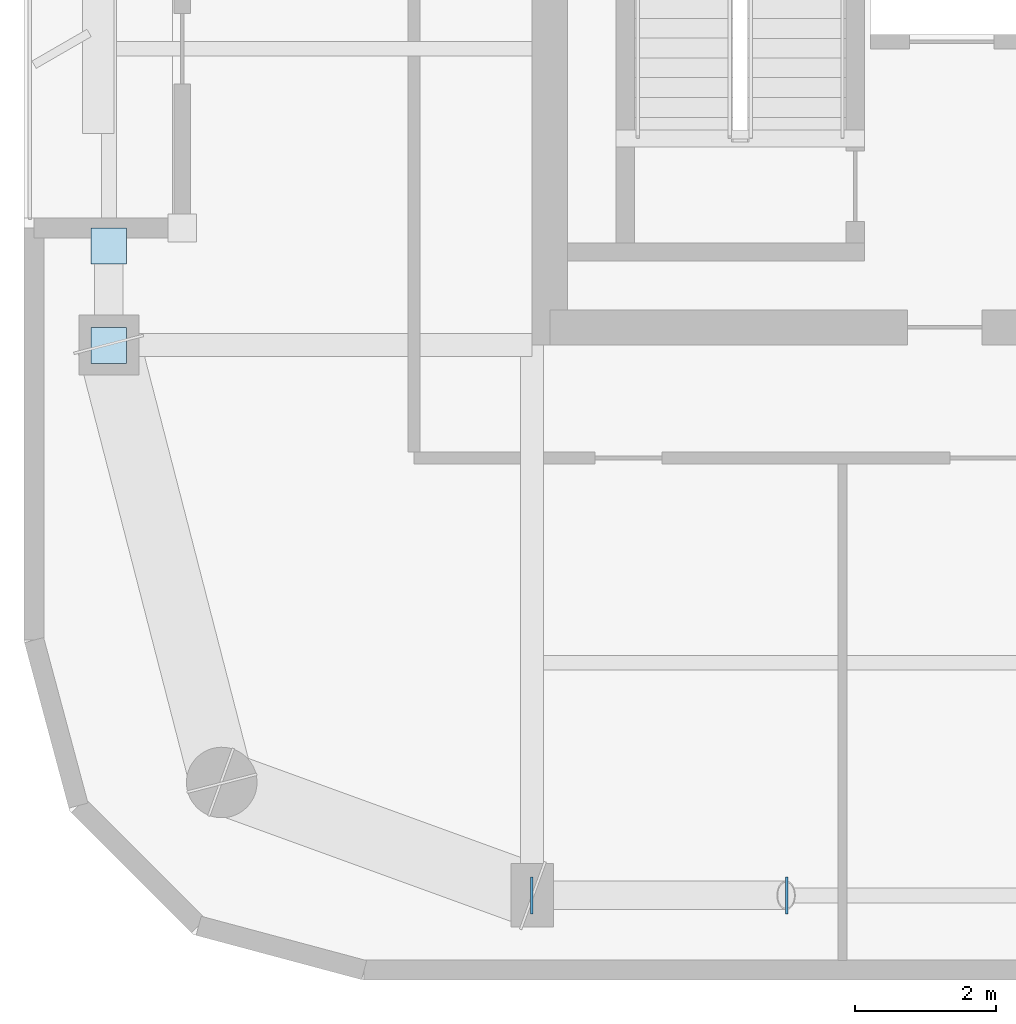
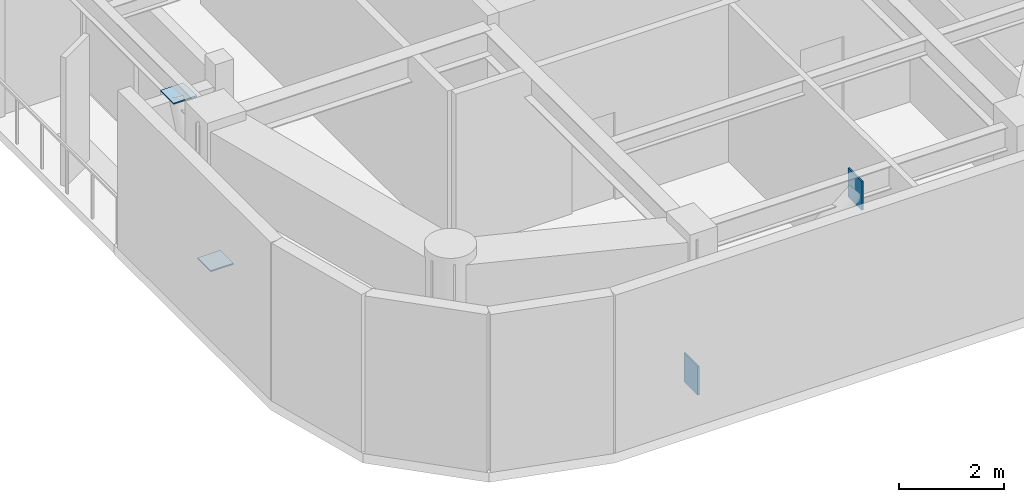
# One storey, part 8 of 15: 4 plates.
"""IFC4 building model written with IfcOpenShell, lengths in metres."""

from ifc_helpers import new_model, si_unit, direction, frame, origin, origin_2d, place, context, subcontext, project, spatial, rectangle, extrude, material, layer, layer_set, type_object, element, save


model = new_model("IFC4")

# Units and contexts
model_context = context("Model", 3, precision=1e-05, world=origin(), true_north=direction((0.0, 1.0)))
body_context = subcontext(model_context, "Body", "Model", "MODEL_VIEW")
ifc_project = project(units=[si_unit("LENGTHUNIT", "METRE"), si_unit("AREAUNIT", "SQUARE_METRE"), si_unit("VOLUMEUNIT", "CUBIC_METRE"), si_unit("PLANEANGLEUNIT", "RADIAN"), si_unit("MASSUNIT", "GRAM", prefix="KILO")], contexts=[model_context])

# Site, building, storey
site_placement = place(None, origin())
site = spatial("IfcSite", under=ifc_project, at=site_placement, CompositionType="ELEMENT")
building_placement = place(site_placement, origin())
building = spatial("IfcBuilding", under=site, at=building_placement, Name="Kiyonajd Concourse Tower", CompositionType="ELEMENT")
storey_placement = place(building_placement, frame((0.0, 0.0, 314.10009765625)))
storey = spatial("IfcBuildingStorey", under=building, at=storey_placement, Name="L79", CompositionType="ELEMENT", Elevation=314.10009765625)

# Plates
ifc_material = material(Name="Steel ASTM A572 Grade 50", Category="steel")
ifc_layer = layer(ifc_material, 0.028076171875)
ifc_layer_set = layer_set([ifc_layer], Name="Steel ASTM A572 Grade 50")
plate_type = type_object("IfcPlateType", Name="PL-CAP-450", PredefinedType="USERDEFINED", material=ifc_layer_set)
for number, where, z_axis, x_axis, name in (
    (1, (32.3916015625, 19.800048828125, -0.042724609375), (0.0, 0.0, 1.0), (-1.0, 0.0, 0.0), "L79 Hollow Brace End Cap Plate PBS"),
    (2, (36.00830078125, 19.800048828125, 3.00146484375), (0.0, 0.0, 1.0), (1.0, 0.0, 0.0), "L79 Hollow Brace Top Cap Plate PBS"),
):
    element("IfcPlate", number, at=place(storey_placement, frame(where, z_axis=z_axis, x_axis=x_axis)), inside=storey, type_object=plate_type, Name=name, ObjectType="CAP PLATE", PredefinedType="USERDEFINED", context=body_context, shape_type="SweptSolid", body=[
        extrude(rectangle(XDim=0.035888671875, YDim=0.52587890625, at=origin_2d()), origin(), (0.0, 0.0, 1.0), 0.6708984375),
    ])
for number, where, z_axis, x_axis, name in (
    (3, (26.39990234375, 27.595458984375, 0.27587890625), (0.0, 0.0, 1.0), (1.0, 0.0, 0.0), "L79 Hollow Brace End Cap Plate PBW"),
    (4, (26.39990234375, 29.004638671875, 3.32568359375), (0.0, 0.0, 1.0), (1.0, 0.0, 0.0), "L79 Hollow Brace Top Cap Plate PBW"),
):
    element("IfcPlate", number, at=place(storey_placement, frame(where, z_axis=z_axis, x_axis=x_axis)), inside=storey, type_object=plate_type, Name=name, ObjectType="CAP PLATE", PredefinedType="USERDEFINED", context=body_context, shape_type="SweptSolid", body=[
        extrude(rectangle(XDim=0.506103515625, YDim=0.506103515625, at=origin_2d()), origin(), (0.0, 0.0, 1.0), 0.028076171875),
    ])

save(model, "model.ifc")
